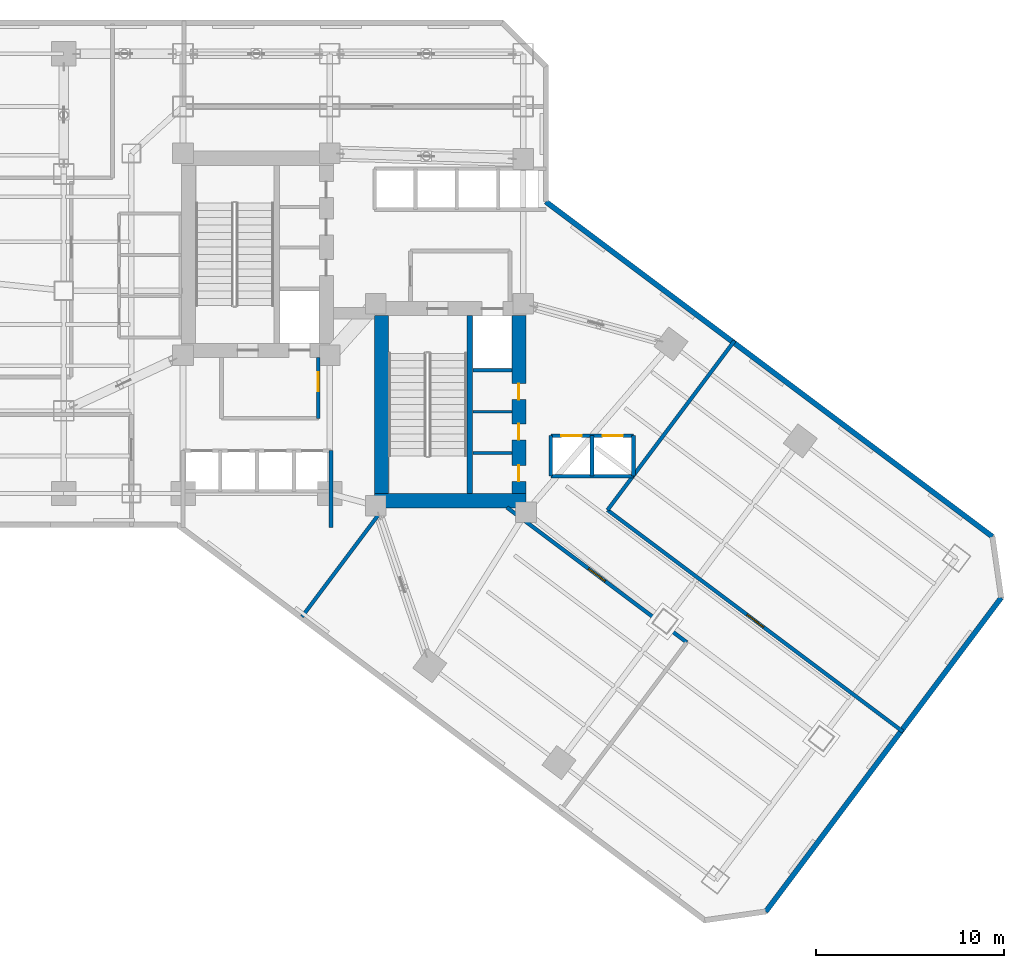
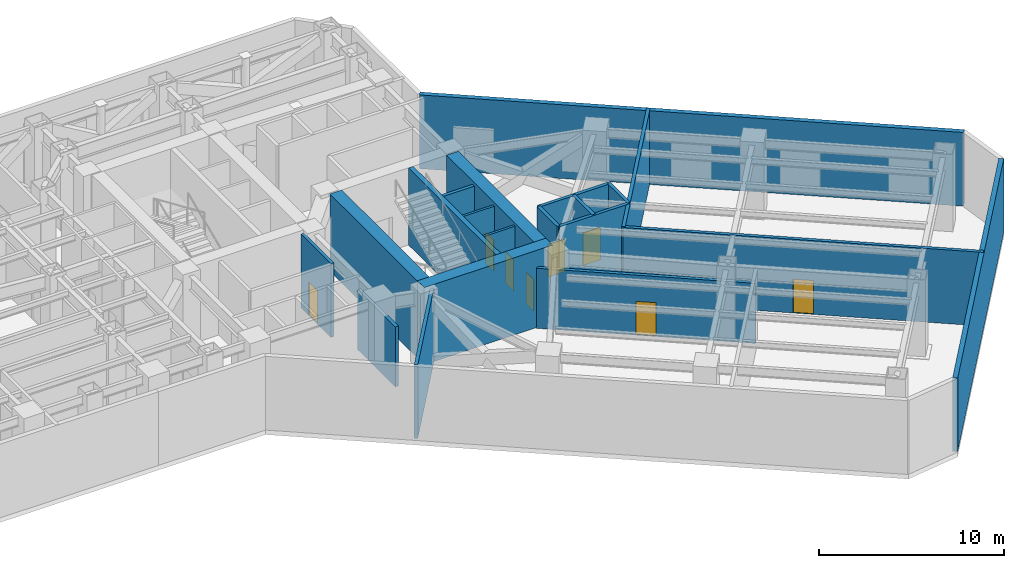
# One storey, part 10 of 16: 20 walls, 8 doors, 8 openings.
"""IFC4 building model written with IfcOpenShell, lengths in metres."""

from ifc_helpers import new_model, si_unit, direction, frame, frame_2d, origin, place, context, subcontext, project, spatial, rectangle, extrude, material, layer, layer_set, type_object, element, fill, save


model = new_model("IFC4")

# Units and contexts
model_context = context("Model", 3, precision=1e-05, world=origin(), true_north=direction((0.0, 1.0)))
body_context = subcontext(model_context, "Body", "Model", "MODEL_VIEW")
ifc_project = project(units=[si_unit("LENGTHUNIT", "METRE"), si_unit("AREAUNIT", "SQUARE_METRE"), si_unit("VOLUMEUNIT", "CUBIC_METRE"), si_unit("PLANEANGLEUNIT", "RADIAN"), si_unit("MASSUNIT", "GRAM", prefix="KILO")], contexts=[model_context])

# Site, building, storey
site_placement = place(None, origin())
site = spatial("IfcSite", under=ifc_project, at=site_placement, CompositionType="ELEMENT")
building_placement = place(site_placement, origin())
building = spatial("IfcBuilding", under=site, at=building_placement, Name="Hatsunagi Terrace Concourse", CompositionType="ELEMENT")
storey_placement = place(building_placement, frame((0.0, 0.0, 27.0)))
storey = spatial("IfcBuildingStorey", under=building, at=storey_placement, Name="L06", CompositionType="ELEMENT", Elevation=27.0)

# Walls
ifc_material_1 = material(Name="Concrete Fc60", Category="concrete")
ifc_layer_1 = layer(ifc_material_1, 0.75)
ifc_layer_set_1 = layer_set([ifc_layer_1], Name="CoreShearWall_Fc60_750")
wall_type_1 = type_object("IfcWallType", Name="CoreShearWall_Fc60_750", PredefinedType="SHEAR", material=ifc_layer_set_1)
wall_1_placement = place(storey_placement, frame((35.739990234375, 24.81494140625, 0.0), z_axis=(0.0, 0.0, 1.0), x_axis=(1.0, 0.0, 0.0)))
element("IfcWall", 1, at=wall_1_placement, inside=storey, type_object=wall_type_1, Name="Core B Shear Wall S L06", PredefinedType="SHEAR", context=body_context, shape_type="SweptSolid", body=[
    extrude(rectangle(XDim=8.06005859375, YDim=0.75, at=frame_2d((4.030029296875, 0.0))), origin(), (0.0, 0.0, 1.0), 5.10009765625),
])
wall_2_placement = place(storey_placement, frame((36.114990234375, 25.18994140625, 0.0), z_axis=(0.0, 0.0, 1.0), x_axis=(0.0, 1.0, 0.0)))
element("IfcWall", 2, at=wall_2_placement, inside=storey, type_object=wall_type_1, Name="Core B Shear Wall W L06", PredefinedType="SHEAR", context=body_context, shape_type="SweptSolid", body=[
    extrude(rectangle(XDim=9.47998046875, YDim=0.75, at=frame_2d((4.739990234375, 0.0))), origin(), (0.0, 0.0, 1.0), 5.10009765625),
])

# Wall, openings, doors
wall_3_placement = place(storey_placement, frame((43.425048828125, 25.18994140625, 0.0), z_axis=(0.0, 0.0, 1.0), x_axis=(0.0, 1.0, 0.0)))
wall_3 = element("IfcWall", 3, at=wall_3_placement, inside=storey, type_object=wall_type_1, Name="Core B Shear Wall E L06", PredefinedType="SHEAR", context=body_context, shape_type="SweptSolid", body=[
    extrude(rectangle(XDim=9.47998046875, YDim=0.75, at=frame_2d((4.739990234375, 0.0))), origin(), (0.0, 0.0, 1.0), 5.10009765625),
])
opening_1_placement = place(wall_3_placement, frame((0.659912109375, 0.0, 0.0)))
opening_1 = element("IfcOpeningElement", 4, at=opening_1_placement, cuts=wall_3, Name="Opening DR-085", PredefinedType="OPENING", context=body_context, shape_type="SweptSolid", body=[
    extrude(rectangle(XDim=0.85009765625, YDim=2.080078125, at=frame_2d((0.425048828125, 1.0400390625))), frame((0.0, 0.385009765625, 0.0), z_axis=(0.0, -1.0, 0.0), x_axis=(1.0, 0.0, 0.0)), (0.0, 0.0, 1.0), 0.77001953125),
])
opening_2_placement = place(wall_3_placement, frame((2.860107421875, 0.0, 0.0)))
opening_2 = element("IfcOpeningElement", 5, at=opening_2_placement, cuts=wall_3, Name="Opening DR-085", PredefinedType="OPENING", context=body_context, shape_type="SweptSolid", body=[
    extrude(rectangle(XDim=0.85009765625, YDim=2.080078125, at=frame_2d((0.425048828125, 1.0400390625))), frame((0.0, 0.385009765625, 0.0), z_axis=(0.0, -1.0, 0.0), x_axis=(1.0, 0.0, 0.0)), (0.0, 0.0, 1.0), 0.77001953125),
])
opening_3_placement = place(wall_3_placement, frame((5.010009765625, 0.0, 0.0)))
opening_3 = element("IfcOpeningElement", 6, at=opening_3_placement, cuts=wall_3, Name="Opening DR-085", PredefinedType="OPENING", context=body_context, shape_type="SweptSolid", body=[
    extrude(rectangle(XDim=0.85009765625, YDim=2.080078125, at=frame_2d((0.425048828125, 1.0400390625))), frame((0.0, 0.385009765625, 0.0), z_axis=(0.0, -1.0, 0.0), x_axis=(1.0, 0.0, 0.0)), (0.0, 0.0, 1.0), 0.77001953125),
])
ifc_material_2 = material(Name="Painted steel", Category="steel")
door_type_1 = type_object("IfcDoorType", Name="RiserAccessDoor_EI60_850", OperationType="NOTDEFINED", PredefinedType="DOOR", material=ifc_material_2)
door_1_placement = place(opening_1_placement, origin())
door_1 = element("IfcDoor", 7, at=door_1_placement, inside=storey, type_object=door_type_1, Name="Core B Riser Door L06-1", OperationType="SINGLE_SWING_RIGHT", OverallHeight=2.080078125, OverallWidth=0.85009765625, PredefinedType="DOOR", context=body_context, shape_type="SweptSolid", body=[
    extrude(rectangle(XDim=0.85009765625, YDim=2.080078125, at=frame_2d((0.425048828125, 1.0400390625))), frame((0.0, 0.02490234375, 0.0), z_axis=(0.0, -1.0, 0.0), x_axis=(1.0, 0.0, 0.0)), (0.0, 0.0, 1.0), 0.050048828125),
])
fill(opening_1, door_1)
door_2_placement = place(opening_2_placement, origin())
door_2 = element("IfcDoor", 8, at=door_2_placement, inside=storey, type_object=door_type_1, Name="Core B Riser Door L06-2", OperationType="SINGLE_SWING_RIGHT", OverallHeight=2.080078125, OverallWidth=0.85009765625, PredefinedType="DOOR", context=body_context, shape_type="SweptSolid", body=[
    extrude(rectangle(XDim=0.85009765625, YDim=2.080078125, at=frame_2d((0.425048828125, 1.0400390625))), frame((0.0, 0.02490234375, 0.0), z_axis=(0.0, -1.0, 0.0), x_axis=(1.0, 0.0, 0.0)), (0.0, 0.0, 1.0), 0.050048828125),
])
fill(opening_2, door_2)
door_3_placement = place(opening_3_placement, origin())
door_3 = element("IfcDoor", 9, at=door_3_placement, inside=storey, type_object=door_type_1, Name="Core B Riser Door L06-3", OperationType="SINGLE_SWING_RIGHT", OverallHeight=2.080078125, OverallWidth=0.85009765625, PredefinedType="DOOR", context=body_context, shape_type="SweptSolid", body=[
    extrude(rectangle(XDim=0.85009765625, YDim=2.080078125, at=frame_2d((0.425048828125, 1.0400390625))), frame((0.0, 0.02490234375, 0.0), z_axis=(0.0, -1.0, 0.0), x_axis=(1.0, 0.0, 0.0)), (0.0, 0.0, 1.0), 0.050048828125),
])
fill(opening_3, door_3)

# Walls
ifc_material_3 = material(Name="Concrete Fc48", Category="concrete")
ifc_layer_2 = layer(ifc_material_3, 0.300048828125)
ifc_layer_set_2 = layer_set([ifc_layer_2], Name="CoreStairDivider_Fc48_300")
wall_type_2 = type_object("IfcWallType", Name="CoreStairDivider_Fc48_300", PredefinedType="SHEAR", material=ifc_layer_set_2)
wall_4_placement = place(storey_placement, frame((40.81005859375, 25.18994140625, 0.0), z_axis=(0.0, 0.0, 1.0), x_axis=(0.0, 1.0, 0.0)))
element("IfcWall", 10, at=wall_4_placement, inside=storey, type_object=wall_type_2, Name="Core B Shear Wall D L06", PredefinedType="SHEAR", context=body_context, shape_type="SweptSolid", body=[
    extrude(rectangle(XDim=9.47998046875, YDim=0.300048828125, at=frame_2d((4.739990234375, 0.0))), origin(), (0.0, 0.0, 1.0), 5.10009765625),
])
ifc_material_4 = material(Name="Acoustic mineral board", Category="gypsum")
ifc_layer_3 = layer(ifc_material_4, 0.14990234375)
ifc_layer_set_3 = layer_set([ifc_layer_3], Name="PartitionWall_EI60_150")
wall_type_3 = type_object("IfcWallType", Name="PartitionWall_EI60_150", PredefinedType="PARTITIONING", material=ifc_layer_set_3)
for number, where, z_axis, x_axis, name in (
    (11, (40.969970703125, 27.35009765625, 0.0), (0.0, 0.0, 1.0), (1.0, 0.0, 0.0), "Interior Partition IW-L06-005"),
    (12, (40.969970703125, 29.550048828125, 0.0), (0.0, 0.0, 1.0), (1.0, 0.0, 0.0), "Interior Partition IW-L06-006"),
):
    element("IfcWall", number, at=place(storey_placement, frame(where, z_axis=z_axis, x_axis=x_axis)), inside=storey, type_object=wall_type_3, Name=name, PredefinedType="PARTITIONING", context=body_context, shape_type="SweptSolid", body=[
        extrude(rectangle(XDim=2.080078125, YDim=0.14990234375, at=frame_2d((1.0400390625, 0.0))), origin(), (0.0, 0.0, 1.0), 4.8798828125),
    ])
ifc_material_5 = material(Name="Acoustic mineral board", Category="gypsum")
ifc_layer_4 = layer(ifc_material_5, 0.199951171875)
ifc_layer_set_4 = layer_set([ifc_layer_4], Name="ShaftWall_EI120_200")
wall_type_4 = type_object("IfcWallType", Name="ShaftWall_EI120_200", PredefinedType="STANDARD", material=ifc_layer_set_4)
wall_5_placement = place(storey_placement, frame((40.969970703125, 31.760009765625, 0.0), z_axis=(0.0, 0.0, 1.0), x_axis=(1.0, 0.0, 0.0)))
element("IfcWall", 13, at=wall_5_placement, inside=storey, type_object=wall_type_4, Name="Interior Partition IW-L06-004", PredefinedType="STANDARD", context=body_context, shape_type="SweptSolid", body=[
    extrude(rectangle(XDim=2.080078125, YDim=0.199951171875, at=frame_2d((1.0400390625, 0.0))), origin(), (0.0, 0.0, 1.0), 4.8798828125),
])

# Wall, opening, door
wall_6_placement = place(storey_placement, frame((32.75, 29.199951171875, 0.0), z_axis=(0.0, 0.0, 1.0), x_axis=(0.0, 1.0, 0.0)))
wall_6 = element("IfcWall", 14, at=wall_6_placement, inside=storey, type_object=wall_type_4, Name="Interior Partition IW-L06-009", PredefinedType="STANDARD", context=body_context, shape_type="SweptSolid", body=[
    extrude(rectangle(XDim=3.239990234375, YDim=0.199951171875, at=frame_2d((1.6201171875, 0.0))), origin(), (0.0, 0.0, 1.0), 4.8798828125),
])
opening_4_placement = place(wall_6_placement, frame((1.449951171875, 0.0, 0.0)))
opening_4 = element("IfcOpeningElement", 15, at=opening_4_placement, cuts=wall_6, Name="Opening DR-100F", PredefinedType="OPENING", context=body_context, shape_type="SweptSolid", body=[
    extrude(rectangle(XDim=1.0, YDim=2.199951171875, at=frame_2d((0.5, 1.10009765625))), frame((0.0, 0.10986328125, 0.0), z_axis=(0.0, -1.0, 0.0), x_axis=(1.0, 0.0, 0.0)), (0.0, 0.0, 1.0), 0.219970703125),
])
ifc_material_6 = material(Name="Painted steel", Category="steel")
door_type_2 = type_object("IfcDoorType", Name="FireDoor_EI60_1000", OperationType="NOTDEFINED", PredefinedType="DOOR", material=ifc_material_6)
door_4_placement = place(opening_4_placement, origin())
door_4 = element("IfcDoor", 16, at=door_4_placement, inside=storey, type_object=door_type_2, Name="Firefighting Lobby A Door L06", OperationType="SINGLE_SWING_RIGHT", OverallHeight=2.199951171875, OverallWidth=1.0, PredefinedType="DOOR", context=body_context, shape_type="SweptSolid", body=[
    extrude(rectangle(XDim=1.0, YDim=2.199951171875, at=frame_2d((0.5, 1.10009765625))), frame((0.0, 0.02490234375, 0.0), z_axis=(0.0, -1.0, 0.0), x_axis=(1.0, 0.0, 0.0)), (0.0, 0.0, 1.0), 0.050048828125),
])
fill(opening_4, door_4)

# Walls
wall_7_placement = place(storey_placement, frame((33.429931640625, 23.39990234375, 0.0), z_axis=(0.0, 0.0, 1.0), x_axis=(0.0, 1.0, 0.0)))
element("IfcWall", 17, at=wall_7_placement, inside=storey, type_object=wall_type_4, Name="Interior Partition IW-L06-014", PredefinedType="STANDARD", context=body_context, shape_type="SweptSolid", body=[
    extrude(rectangle(XDim=4.080078125, YDim=0.199951171875, at=frame_2d((2.0400390625, 0.0))), origin(), (0.0, 0.0, 1.0), 3.97509765625),
])
wall_8_placement = place(storey_placement, frame((45.1201171875, 26.1201171875, 0.0), z_axis=(0.0, 0.0, 1.0), x_axis=(1.0, 0.0, 0.0)))
element("IfcWall", 18, at=wall_8_placement, inside=storey, type_object=wall_type_4, Name="Interior Partition IW-L06-026", PredefinedType="STANDARD", context=body_context, shape_type="SweptSolid", body=[
    extrude(rectangle(XDim=4.39990234375, YDim=0.199951171875, at=frame_2d((2.199951171875, 0.0))), origin(), (0.0, 0.0, 1.0), 4.8798828125),
])
for number, where, z_axis, x_axis, name in (
    (19, (45.1201171875, 26.1201171875, 0.0), (0.0, 0.0, 1.0), (0.0, 1.0, 0.0), "Interior Partition IW-L06-027"),
    (20, (49.52001953125, 26.1201171875, 0.0), (0.0, 0.0, 1.0), (0.0, 1.0, 0.0), "Interior Partition IW-L06-028"),
    (21, (47.320068359375, 26.1201171875, 0.0), (0.0, 0.0, 1.0), (0.0, 1.0, 0.0), "Interior Partition IW-L06-029"),
):
    element("IfcWall", number, at=place(storey_placement, frame(where, z_axis=z_axis, x_axis=x_axis)), inside=storey, type_object=wall_type_4, Name=name, PredefinedType="STANDARD", context=body_context, shape_type="SweptSolid", body=[
        extrude(rectangle(XDim=2.159912109375, YDim=0.199951171875, at=frame_2d((1.080078125, 0.0))), origin(), (0.0, 0.0, 1.0), 4.8798828125),
    ])

# Wall, openings, doors
wall_9_placement = place(storey_placement, frame((45.1201171875, 28.280029296875, 0.0), z_axis=(0.0, 0.0, 1.0), x_axis=(1.0, 0.0, 0.0)))
wall_9 = element("IfcWall", 22, at=wall_9_placement, inside=storey, type_object=wall_type_4, Name="Interior Partition IW-L06-030", PredefinedType="STANDARD", context=body_context, shape_type="SweptSolid", body=[
    extrude(rectangle(XDim=4.39990234375, YDim=0.199951171875, at=frame_2d((2.199951171875, 0.0))), origin(), (0.0, 0.0, 1.0), 4.8798828125),
])
opening_5_placement = place(wall_9_placement, frame((0.56005859375, 0.0, 0.0)))
opening_5 = element("IfcOpeningElement", 23, at=opening_5_placement, cuts=wall_9, Name="Opening LD-03", PredefinedType="OPENING", context=body_context, shape_type="SweptSolid", body=[
    extrude(rectangle(XDim=1.080078125, YDim=2.14990234375, at=frame_2d((0.5400390625, 1.074951171875))), frame((0.0, 0.10986328125, 0.0), z_axis=(0.0, -1.0, 0.0), x_axis=(1.0, 0.0, 0.0)), (0.0, 0.0, 1.0), 0.219970703125),
])
opening_6_placement = place(wall_9_placement, frame((2.760009765625, 0.0, 0.0)))
opening_6 = element("IfcOpeningElement", 24, at=opening_6_placement, cuts=wall_9, Name="Opening LD-03", PredefinedType="OPENING", context=body_context, shape_type="SweptSolid", body=[
    extrude(rectangle(XDim=1.080078125, YDim=2.14990234375, at=frame_2d((0.5400390625, 1.074951171875))), frame((0.0, 0.10986328125, 0.0), z_axis=(0.0, -1.0, 0.0), x_axis=(1.0, 0.0, 0.0)), (0.0, 0.0, 1.0), 0.219970703125),
])
ifc_material_7 = material(Name="Stainless steel", Category="steel")
door_type_3 = type_object("IfcDoorType", Name="LiftLandingDoor_LD03", OperationType="SLIDING_TO_LEFT", PredefinedType="USERDEFINED", material=ifc_material_7)
door_5_placement = place(opening_5_placement, origin())
door_5 = element("IfcDoor", 25, at=door_5_placement, inside=storey, type_object=door_type_3, Name="Lift landing door PL-09 L06", ObjectType="SLIDING_LANDING_DOOR", OperationType="SLIDING_TO_LEFT", OverallHeight=2.14990234375, OverallWidth=1.080078125, PredefinedType="USERDEFINED", context=body_context, shape_type="SweptSolid", body=[
    extrude(rectangle(XDim=1.080078125, YDim=2.14990234375, at=frame_2d((0.5400390625, 1.074951171875))), frame((0.0, 0.02490234375, 0.0), z_axis=(0.0, -1.0, 0.0), x_axis=(1.0, 0.0, 0.0)), (0.0, 0.0, 1.0), 0.050048828125),
])
fill(opening_5, door_5)
door_6_placement = place(opening_6_placement, origin())
door_6 = element("IfcDoor", 26, at=door_6_placement, inside=storey, type_object=door_type_3, Name="Lift landing door PL-10 L06", ObjectType="SLIDING_LANDING_DOOR", OperationType="SLIDING_TO_LEFT", OverallHeight=2.14990234375, OverallWidth=1.080078125, PredefinedType="USERDEFINED", context=body_context, shape_type="SweptSolid", body=[
    extrude(rectangle(XDim=1.080078125, YDim=2.14990234375, at=frame_2d((0.5400390625, 1.074951171875))), frame((0.0, 0.02490234375, 0.0), z_axis=(0.0, -1.0, 0.0), x_axis=(1.0, 0.0, 0.0)), (0.0, 0.0, 1.0), 0.050048828125),
])
fill(opening_6, door_6)

# Wall, opening, door
wall_10_placement = place(storey_placement, frame((48.139892578125, 24.320068359375, 0.0), z_axis=(0.0, 0.0, 1.0), x_axis=(0.799997019653, -0.600003973776, 0.0)))
wall_10 = element("IfcWall", 27, at=wall_10_placement, inside=storey, type_object=wall_type_4, Name="Interior Partition IW-L06-042", PredefinedType="STANDARD", context=body_context, shape_type="SweptSolid", body=[
    extrude(rectangle(XDim=19.66015625, YDim=0.199951171875, at=frame_2d((9.830078125, 0.0))), origin(), (0.0, 0.0, 1.0), 4.8798828125),
])
opening_7_placement = place(wall_10_placement, frame((9.280029296875, 0.0, 0.0)))
opening_7 = element("IfcOpeningElement", 28, at=opening_7_placement, cuts=wall_10, Name="Opening DR-110F", PredefinedType="OPENING", context=body_context, shape_type="SweptSolid", body=[
    extrude(rectangle(XDim=1.10009765625, YDim=2.239990234375, at=frame_2d((0.550048828125, 1.1201171875))), frame((0.0, 0.10986328125, 0.0), z_axis=(0.0, -1.0, 0.0), x_axis=(1.0, 0.0, 0.0)), (0.0, 0.0, 1.0), 0.219970703125),
])
ifc_material_8 = material(Name="Painted steel", Category="steel")
door_type_4 = type_object("IfcDoorType", Name="FireDoor_EI60_1100", OperationType="NOTDEFINED", PredefinedType="DOOR", material=ifc_material_8)
door_7_placement = place(opening_7_placement, origin())
door_7 = element("IfcDoor", 29, at=door_7_placement, inside=storey, type_object=door_type_4, Name="Refuge Area L06-REF2 Door", OperationType="SINGLE_SWING_LEFT", OverallHeight=2.239990234375, OverallWidth=1.10009765625, PredefinedType="DOOR", context=body_context, shape_type="SweptSolid", body=[
    extrude(rectangle(XDim=1.10009765625, YDim=2.239990234375, at=frame_2d((0.550048828125, 1.1201171875))), frame((0.0, 0.02490234375, 0.0), z_axis=(0.0, -1.0, 0.0), x_axis=(1.0, 0.0, 0.0)), (0.0, 0.0, 1.0), 0.050048828125),
])
fill(opening_7, door_7)

# Wall
wall_11_placement = place(storey_placement, frame((48.139892578125, 24.320068359375, 0.0), z_axis=(0.0, 0.0, 1.0), x_axis=(0.600013876572, 0.799989592383, 0.0)))
element("IfcWall", 30, at=wall_11_placement, inside=storey, type_object=wall_type_4, Name="Interior Partition IW-L06-043", PredefinedType="STANDARD", context=body_context, shape_type="SweptSolid", body=[
    extrude(rectangle(XDim=11.260009765625, YDim=0.199951171875, at=frame_2d((5.6298828125, 0.0))), origin(), (0.0, 0.0, 1.0), 4.8798828125),
])

# Wall, opening, door
wall_12_placement = place(storey_placement, frame((42.787109375, 24.4599609375, 0.0), z_axis=(0.0, 0.0, 1.0), x_axis=(0.79999265513, -0.600009793035, 0.0)))
wall_12 = element("IfcWall", 31, at=wall_12_placement, inside=storey, type_object=wall_type_4, Name="Interior Partition IW-L06-048", PredefinedType="STANDARD", context=body_context, shape_type="SweptSolid", body=[
    extrude(rectangle(XDim=11.96630859375, YDim=0.199951171875, at=frame_2d((5.983154296875, 0.0))), origin(), (0.0, 0.0, 1.0), 3.97509765625),
])
opening_8_placement = place(wall_12_placement, frame((5.43310546875, 0.0, 0.0)))
opening_8 = element("IfcOpeningElement", 32, at=opening_8_placement, cuts=wall_12, Name="Opening DR-110F", PredefinedType="OPENING", context=body_context, shape_type="SweptSolid", body=[
    extrude(rectangle(XDim=1.10009765625, YDim=2.239990234375, at=frame_2d((0.550048828125, 1.1201171875))), frame((0.0, 0.10986328125, 0.0), z_axis=(0.0, -1.0, 0.0), x_axis=(1.0, 0.0, 0.0)), (0.0, 0.0, 1.0), 0.219970703125),
])
door_8_placement = place(opening_8_placement, origin())
door_8 = element("IfcDoor", 33, at=door_8_placement, inside=storey, type_object=door_type_4, Name="Chiller Heat Exchanger Room L06-HEX Door", OperationType="SINGLE_SWING_RIGHT", OverallHeight=2.239990234375, OverallWidth=1.10009765625, PredefinedType="DOOR", context=body_context, shape_type="SweptSolid", body=[
    extrude(rectangle(XDim=1.10009765625, YDim=2.239990234375, at=frame_2d((0.550048828125, 1.1201171875))), frame((0.0, 0.02490234375, 0.0), z_axis=(0.0, -1.0, 0.0), x_axis=(1.0, 0.0, 0.0)), (0.0, 0.0, 1.0), 0.050048828125),
])
fill(opening_8, door_8)

# Walls
wall_13_placement = place(storey_placement, frame((31.8798828125, 18.639892578125, 0.0), z_axis=(0.0, 0.0, 1.0), x_axis=(0.600016107693, 0.799987918977, 0.0)))
element("IfcWall", 34, at=wall_13_placement, inside=storey, type_object=wall_type_4, Name="Interior Partition IW-L06-049", PredefinedType="STANDARD", context=body_context, shape_type="SweptSolid", body=[
    extrude(rectangle(XDim=7.275146484375, YDim=0.199951171875, at=frame_2d((3.6376953125, 0.0))), origin(), (0.0, 0.0, 1.0), 4.8798828125),
])
ifc_material_9 = material(Name="Autoclaved Lightweight Concrete and Terracotta Cladding", Category="masonry")
ifc_layer_5 = layer(ifc_material_9, 0.280029296875)
ifc_layer_set_5 = layer_set([ifc_layer_5], Name="TerracottaSpandrelWall_280")
wall_type_5 = type_object("IfcWallType", Name="TerracottaSpandrelWall_280", PredefinedType="STANDARD", material=ifc_layer_set_5)
wall_14_placement = place(storey_placement, frame((44.860107421875, 40.72998046875, 0.0), z_axis=(0.0, 0.0, 1.0), x_axis=(0.800006902154, -0.599990797017, 0.0)))
element("IfcWall", 35, at=wall_14_placement, inside=storey, type_object=wall_type_5, Name="Exterior Spandrel Wall EW-L06-01", PredefinedType="STANDARD", context=body_context, shape_type="SweptSolid", body=[
    extrude(rectangle(XDim=29.7119140625, YDim=0.280029296875, at=frame_2d((14.85595703125, 0.0))), origin(), (0.0, 0.0, 1.0), 4.8798828125),
])
wall_15_placement = place(storey_placement, frame((69.093017578125, 19.657958984375, 0.0), z_axis=(0.0, 0.0, 1.0), x_axis=(-0.599970072971, -0.800022444397, 0.0)))
element("IfcWall", 36, at=wall_15_placement, inside=storey, type_object=wall_type_5, Name="Exterior Spandrel Wall EW-L06-03", PredefinedType="STANDARD", context=body_context, shape_type="SweptSolid", body=[
    extrude(rectangle(XDim=20.884521484375, YDim=0.280029296875, at=frame_2d((10.4423828125, 0.0))), origin(), (0.0, 0.0, 1.0), 4.8798828125),
])

save(model, "model.ifc")
